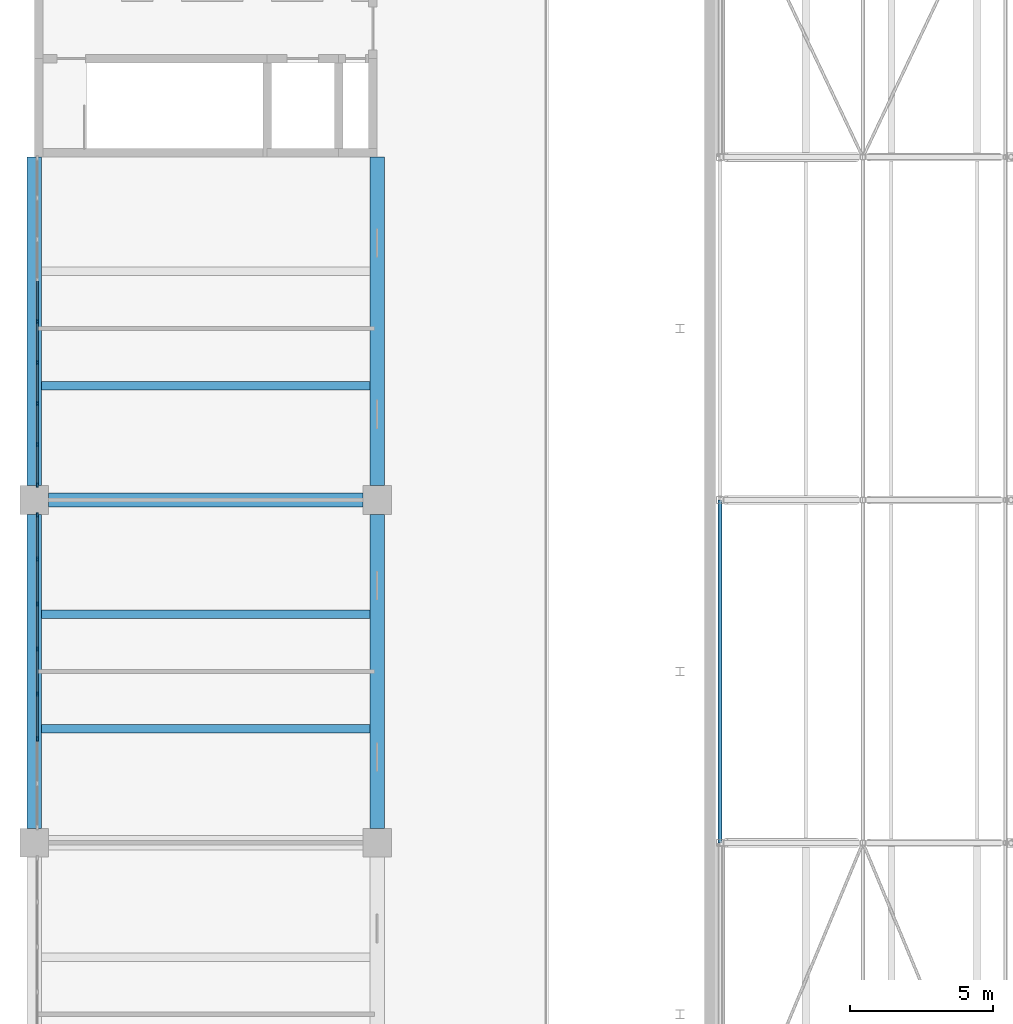
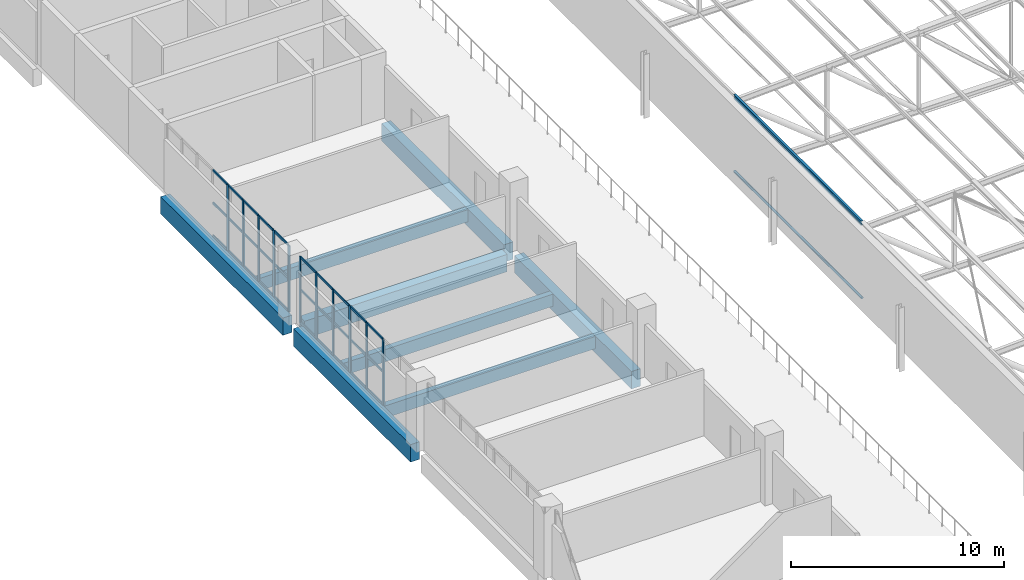
# One storey, part 102 of 156: 43 members, 8 beams, 2 elements without a shape of their own.
"""IFC4 building model written with IfcOpenShell, lengths in metres."""

from ifc_helpers import new_model, si_unit, direction, frame, origin, origin_2d, place, context, subcontext, project, spatial, rectangle, hollow_circle, i_section, extrude, material, layer, layer_set, material_profile, profile_set, type_object, element, aggregate, save


model = new_model("IFC4")

# Units and contexts
model_context = context("Model", 3, precision=1e-05, world=origin(), true_north=direction((0.0, 1.0)))
body_context = subcontext(model_context, "Body", "Model", "MODEL_VIEW")
ifc_project = project(units=[si_unit("LENGTHUNIT", "METRE"), si_unit("AREAUNIT", "SQUARE_METRE"), si_unit("VOLUMEUNIT", "CUBIC_METRE"), si_unit("PLANEANGLEUNIT", "RADIAN"), si_unit("MASSUNIT", "GRAM", prefix="KILO")], contexts=[model_context])

# Site, building, storey
site_placement = place(None, origin())
site = spatial("IfcSite", under=ifc_project, at=site_placement, CompositionType="ELEMENT")
building_placement = place(site_placement, origin())
building = spatial("IfcBuilding", under=site, at=building_placement, Name="Lilac Gate Convention Centre", CompositionType="ELEMENT")
storey_placement = place(building_placement, frame((0.0, 0.0, 17.0)))
storey = spatial("IfcBuildingStorey", under=building, at=storey_placement, Name="L03", CompositionType="ELEMENT", Elevation=17.0)

# Member
ifc_material_1 = material(Name="Steel Q355B", Category="steel")
ifc_material_profile_1 = material_profile(ifc_material_1, hollow_circle(Radius=0.06982421875, WallThickness=0.0048828125, at=origin_2d()), Name="CHS139.7x5")
ifc_profile_set_1 = profile_set([ifc_material_profile_1], Name="Steel Q355B")
member_type_1 = type_object("IfcMemberType", Name="Bottom chord tie CHS139.7x5", PredefinedType="STRUT", material=ifc_profile_set_1)
member_1_placement = place(storey_placement, frame((30.0, 186.00341796875, 0.0), z_axis=(0.0, 1.0, 0.0), x_axis=(-1.0, 0.0, 0.0)))
element("IfcMember", 1, at=member_1_placement, inside=storey, type_object=member_type_1, Name="ST1 tie bay 14 node 1", PredefinedType="STRUT", context=body_context, shape_type="SweptSolid", body=[
    extrude(hollow_circle(Radius=0.06982421875, WallThickness=0.0048828125, at=origin_2d()), origin(), (0.0, 0.0, 1.0), 11.9931640625),
])

# Curtain wall, members
ifc_material_2 = material(Name="Aluminium framed double glazing", Category="aluminium")
ifc_layer = layer(ifc_material_2, 0.199951171875)
ifc_layer_set = layer_set([ifc_layer], Name="Aluminium framed double glazing")
curtain_wall_type = type_object("IfcCurtainWallType", Name="Unitised curtain wall 1500", PredefinedType="NOTDEFINED", material=ifc_layer_set)
curtain_wall_1_placement = place(storey_placement, origin())
curtain_wall_1 = element("IfcCurtainWall", 2, at=curtain_wall_1_placement, inside=storey, type_object=curtain_wall_type, Name="Curtain wall PW L03 1", PredefinedType="NOTDEFINED")
ifc_material_3 = material(Name="Aluminium alloy 6063", Category="aluminium")
ifc_material_profile_2 = material_profile(ifc_material_3, rectangle(XDim=0.06005859375, YDim=0.159912109375, at=origin_2d()), Name="Curtain wall mullion 60 x 160")
ifc_profile_set_2 = profile_set([ifc_material_profile_2], Name="Aluminium alloy 6063")
member_type_2 = type_object("IfcMemberType", Name="Curtain wall mullion 60 x 160", PredefinedType="MULLION", material=ifc_profile_set_2)
member_2_placement = place(storey_placement, frame((6.10009765625, 204.25, 0.0), z_axis=(0.0, 0.0, 1.0), x_axis=(1.0, 0.0, 0.0)))
member_2 = element("IfcMember", 3, at=member_2_placement, type_object=member_type_2, Name="CW mullion 5", PredefinedType="MULLION", context=body_context, shape_type="SweptSolid", body=[
    extrude(rectangle(XDim=0.06005859375, YDim=0.159912109375, at=origin_2d()), origin(), (0.0, 0.0, 1.0), 3.800048828125),
])
member_3_placement = place(storey_placement, frame((6.10009765625, 202.8125, 0.0), z_axis=(0.0, 0.0, 1.0), x_axis=(1.0, 0.0, 0.0)))
member_3 = element("IfcMember", 4, at=member_3_placement, type_object=member_type_2, Name="CW mullion 6", PredefinedType="MULLION", context=body_context, shape_type="SweptSolid", body=[
    extrude(rectangle(XDim=0.06005859375, YDim=0.159912109375, at=origin_2d()), origin(), (0.0, 0.0, 1.0), 3.800048828125),
])
member_4_placement = place(storey_placement, frame((6.10009765625, 201.375, 0.0), z_axis=(0.0, 0.0, 1.0), x_axis=(1.0, 0.0, 0.0)))
member_4 = element("IfcMember", 5, at=member_4_placement, type_object=member_type_2, Name="CW mullion 7", PredefinedType="MULLION", context=body_context, shape_type="SweptSolid", body=[
    extrude(rectangle(XDim=0.06005859375, YDim=0.159912109375, at=origin_2d()), origin(), (0.0, 0.0, 1.0), 3.800048828125),
])
member_5_placement = place(storey_placement, frame((6.10009765625, 199.9375, 0.0), z_axis=(0.0, 0.0, 1.0), x_axis=(1.0, 0.0, 0.0)))
member_5 = element("IfcMember", 6, at=member_5_placement, type_object=member_type_2, Name="CW mullion 8", PredefinedType="MULLION", context=body_context, shape_type="SweptSolid", body=[
    extrude(rectangle(XDim=0.06005859375, YDim=0.159912109375, at=origin_2d()), origin(), (0.0, 0.0, 1.0), 3.800048828125),
])
member_6_placement = place(storey_placement, frame((6.10009765625, 198.530029296875, 0.0), z_axis=(0.0, 0.0, 1.0), x_axis=(1.0, 0.0, 0.0)))
member_6 = element("IfcMember", 7, at=member_6_placement, type_object=member_type_2, Name="CW mullion 9", PredefinedType="MULLION", context=body_context, shape_type="SweptSolid", body=[
    extrude(rectangle(XDim=0.06005859375, YDim=0.159912109375, at=origin_2d()), origin(), (0.0, 0.0, 1.0), 3.800048828125),
])

curtain_wall_2_placement = place(storey_placement, origin())
curtain_wall_2 = element("IfcCurtainWall", 8, at=curtain_wall_2_placement, inside=storey, type_object=curtain_wall_type, Name="Curtain wall PW L03 2", PredefinedType="NOTDEFINED")
member_7_placement = place(storey_placement, frame((6.10009765625, 197.469970703125, 0.0), z_axis=(0.0, 0.0, 1.0), x_axis=(1.0, 0.0, 0.0)))
member_7 = element("IfcMember", 9, at=member_7_placement, type_object=member_type_2, Name="CW mullion 1", PredefinedType="MULLION", context=body_context, shape_type="SweptSolid", body=[
    extrude(rectangle(XDim=0.06005859375, YDim=0.159912109375, at=origin_2d()), origin(), (0.0, 0.0, 1.0), 3.800048828125),
])
member_8_placement = place(storey_placement, frame((6.10009765625, 195.928466796875, 0.0), z_axis=(0.0, 0.0, 1.0), x_axis=(1.0, 0.0, 0.0)))
member_8 = element("IfcMember", 10, at=member_8_placement, type_object=member_type_2, Name="CW mullion 2", PredefinedType="MULLION", context=body_context, shape_type="SweptSolid", body=[
    extrude(rectangle(XDim=0.06005859375, YDim=0.159912109375, at=origin_2d()), origin(), (0.0, 0.0, 1.0), 3.800048828125),
])
member_9_placement = place(storey_placement, frame((6.10009765625, 194.357177734375, 0.0), z_axis=(0.0, 0.0, 1.0), x_axis=(1.0, 0.0, 0.0)))
member_9 = element("IfcMember", 11, at=member_9_placement, type_object=member_type_2, Name="CW mullion 3", PredefinedType="MULLION", context=body_context, shape_type="SweptSolid", body=[
    extrude(rectangle(XDim=0.06005859375, YDim=0.159912109375, at=origin_2d()), origin(), (0.0, 0.0, 1.0), 3.800048828125),
])
member_10_placement = place(storey_placement, frame((6.10009765625, 192.78564453125, 0.0), z_axis=(0.0, 0.0, 1.0), x_axis=(1.0, 0.0, 0.0)))
member_10 = element("IfcMember", 12, at=member_10_placement, type_object=member_type_2, Name="CW mullion 4", PredefinedType="MULLION", context=body_context, shape_type="SweptSolid", body=[
    extrude(rectangle(XDim=0.06005859375, YDim=0.159912109375, at=origin_2d()), origin(), (0.0, 0.0, 1.0), 3.800048828125),
])
member_11_placement = place(storey_placement, frame((6.10009765625, 191.21435546875, 0.0), z_axis=(0.0, 0.0, 1.0), x_axis=(1.0, 0.0, 0.0)))
member_11 = element("IfcMember", 13, at=member_11_placement, type_object=member_type_2, Name="CW mullion 5", PredefinedType="MULLION", context=body_context, shape_type="SweptSolid", body=[
    extrude(rectangle(XDim=0.06005859375, YDim=0.159912109375, at=origin_2d()), origin(), (0.0, 0.0, 1.0), 3.800048828125),
])
member_12_placement = place(storey_placement, frame((6.10009765625, 189.642822265625, 0.0), z_axis=(0.0, 0.0, 1.0), x_axis=(1.0, 0.0, 0.0)))
member_12 = element("IfcMember", 14, at=member_12_placement, type_object=member_type_2, Name="CW mullion 6", PredefinedType="MULLION", context=body_context, shape_type="SweptSolid", body=[
    extrude(rectangle(XDim=0.06005859375, YDim=0.159912109375, at=origin_2d()), origin(), (0.0, 0.0, 1.0), 3.800048828125),
])

# Member
ifc_material_profile_3 = material_profile(ifc_material_3, rectangle(XDim=0.06005859375, YDim=0.1201171875, at=origin_2d()), Name="Curtain wall transom 60 x 120")
ifc_profile_set_3 = profile_set([ifc_material_profile_3], Name="Aluminium alloy 6063")
member_type_3 = type_object("IfcMemberType", Name="Curtain wall transom 60 x 120", PredefinedType="USERDEFINED", material=ifc_profile_set_3)
member_13_placement = place(storey_placement, frame((6.10009765625, 205.657470703125, 0.030029296875), z_axis=(0.0, -1.0, 0.0), x_axis=(1.0, 0.0, 0.0)))
member_13 = element("IfcMember", 15, at=member_13_placement, type_object=member_type_3, Name="CW transom 4.1", ObjectType="TRANSOM", PredefinedType="USERDEFINED", context=body_context, shape_type="SweptSolid", body=[
    extrude(rectangle(XDim=0.06005859375, YDim=0.1201171875, at=origin_2d()), origin(), (0.0, 0.0, 1.0), 1.37744140625),
])

member_14_placement = place(storey_placement, frame((6.10009765625, 205.657470703125, 1.89990234375), z_axis=(0.0, -1.0, 0.0), x_axis=(1.0, 0.0, 0.0)))
member_14 = element("IfcMember", 16, at=member_14_placement, type_object=member_type_3, Name="CW transom 4.2", ObjectType="TRANSOM", PredefinedType="USERDEFINED", context=body_context, shape_type="SweptSolid", body=[
    extrude(rectangle(XDim=0.06005859375, YDim=0.1201171875, at=origin_2d()), origin(), (0.0, 0.0, 1.0), 1.37744140625),
])

member_15_placement = place(storey_placement, frame((6.10009765625, 205.657470703125, 3.77001953125), z_axis=(0.0, -1.0, 0.0), x_axis=(1.0, 0.0, 0.0)))
member_15 = element("IfcMember", 17, at=member_15_placement, type_object=member_type_3, Name="CW transom 4.3", ObjectType="TRANSOM", PredefinedType="USERDEFINED", context=body_context, shape_type="SweptSolid", body=[
    extrude(rectangle(XDim=0.06005859375, YDim=0.1201171875, at=origin_2d()), origin(), (0.0, 0.0, 1.0), 1.37744140625),
])

member_16_placement = place(storey_placement, frame((6.10009765625, 204.219970703125, 0.030029296875), z_axis=(0.0, -1.0, 0.0), x_axis=(1.0, 0.0, 0.0)))
member_16 = element("IfcMember", 18, at=member_16_placement, type_object=member_type_3, Name="CW transom 5.1", ObjectType="TRANSOM", PredefinedType="USERDEFINED", context=body_context, shape_type="SweptSolid", body=[
    extrude(rectangle(XDim=0.06005859375, YDim=0.1201171875, at=origin_2d()), origin(), (0.0, 0.0, 1.0), 1.37744140625),
])

member_17_placement = place(storey_placement, frame((6.10009765625, 204.219970703125, 1.89990234375), z_axis=(0.0, -1.0, 0.0), x_axis=(1.0, 0.0, 0.0)))
member_17 = element("IfcMember", 19, at=member_17_placement, type_object=member_type_3, Name="CW transom 5.2", ObjectType="TRANSOM", PredefinedType="USERDEFINED", context=body_context, shape_type="SweptSolid", body=[
    extrude(rectangle(XDim=0.06005859375, YDim=0.1201171875, at=origin_2d()), origin(), (0.0, 0.0, 1.0), 1.37744140625),
])

member_18_placement = place(storey_placement, frame((6.10009765625, 204.219970703125, 3.77001953125), z_axis=(0.0, -1.0, 0.0), x_axis=(1.0, 0.0, 0.0)))
member_18 = element("IfcMember", 20, at=member_18_placement, type_object=member_type_3, Name="CW transom 5.3", ObjectType="TRANSOM", PredefinedType="USERDEFINED", context=body_context, shape_type="SweptSolid", body=[
    extrude(rectangle(XDim=0.06005859375, YDim=0.1201171875, at=origin_2d()), origin(), (0.0, 0.0, 1.0), 1.37744140625),
])

member_19_placement = place(storey_placement, frame((6.10009765625, 202.782470703125, 0.030029296875), z_axis=(0.0, -1.0, 0.0), x_axis=(1.0, 0.0, 0.0)))
member_19 = element("IfcMember", 21, at=member_19_placement, type_object=member_type_3, Name="CW transom 6.1", ObjectType="TRANSOM", PredefinedType="USERDEFINED", context=body_context, shape_type="SweptSolid", body=[
    extrude(rectangle(XDim=0.06005859375, YDim=0.1201171875, at=origin_2d()), origin(), (0.0, 0.0, 1.0), 1.37744140625),
])

member_20_placement = place(storey_placement, frame((6.10009765625, 202.782470703125, 1.89990234375), z_axis=(0.0, -1.0, 0.0), x_axis=(1.0, 0.0, 0.0)))
member_20 = element("IfcMember", 22, at=member_20_placement, type_object=member_type_3, Name="CW transom 6.2", ObjectType="TRANSOM", PredefinedType="USERDEFINED", context=body_context, shape_type="SweptSolid", body=[
    extrude(rectangle(XDim=0.06005859375, YDim=0.1201171875, at=origin_2d()), origin(), (0.0, 0.0, 1.0), 1.37744140625),
])

member_21_placement = place(storey_placement, frame((6.10009765625, 202.782470703125, 3.77001953125), z_axis=(0.0, -1.0, 0.0), x_axis=(1.0, 0.0, 0.0)))
member_21 = element("IfcMember", 23, at=member_21_placement, type_object=member_type_3, Name="CW transom 6.3", ObjectType="TRANSOM", PredefinedType="USERDEFINED", context=body_context, shape_type="SweptSolid", body=[
    extrude(rectangle(XDim=0.06005859375, YDim=0.1201171875, at=origin_2d()), origin(), (0.0, 0.0, 1.0), 1.37744140625),
])

member_22_placement = place(storey_placement, frame((6.10009765625, 201.344970703125, 0.030029296875), z_axis=(0.0, -1.0, 0.0), x_axis=(1.0, 0.0, 0.0)))
member_22 = element("IfcMember", 24, at=member_22_placement, type_object=member_type_3, Name="CW transom 7.1", ObjectType="TRANSOM", PredefinedType="USERDEFINED", context=body_context, shape_type="SweptSolid", body=[
    extrude(rectangle(XDim=0.06005859375, YDim=0.1201171875, at=origin_2d()), origin(), (0.0, 0.0, 1.0), 1.37744140625),
])

member_23_placement = place(storey_placement, frame((6.10009765625, 201.344970703125, 1.89990234375), z_axis=(0.0, -1.0, 0.0), x_axis=(1.0, 0.0, 0.0)))
member_23 = element("IfcMember", 25, at=member_23_placement, type_object=member_type_3, Name="CW transom 7.2", ObjectType="TRANSOM", PredefinedType="USERDEFINED", context=body_context, shape_type="SweptSolid", body=[
    extrude(rectangle(XDim=0.06005859375, YDim=0.1201171875, at=origin_2d()), origin(), (0.0, 0.0, 1.0), 1.37744140625),
])

member_24_placement = place(storey_placement, frame((6.10009765625, 201.344970703125, 3.77001953125), z_axis=(0.0, -1.0, 0.0), x_axis=(1.0, 0.0, 0.0)))
member_24 = element("IfcMember", 26, at=member_24_placement, type_object=member_type_3, Name="CW transom 7.3", ObjectType="TRANSOM", PredefinedType="USERDEFINED", context=body_context, shape_type="SweptSolid", body=[
    extrude(rectangle(XDim=0.06005859375, YDim=0.1201171875, at=origin_2d()), origin(), (0.0, 0.0, 1.0), 1.37744140625),
])

member_25_placement = place(storey_placement, frame((6.10009765625, 199.907470703125, 0.030029296875), z_axis=(0.0, -1.0, 0.0), x_axis=(1.0, 0.0, 0.0)))
member_25 = element("IfcMember", 27, at=member_25_placement, type_object=member_type_3, Name="CW transom 8.1", ObjectType="TRANSOM", PredefinedType="USERDEFINED", context=body_context, shape_type="SweptSolid", body=[
    extrude(rectangle(XDim=0.06005859375, YDim=0.1201171875, at=origin_2d()), origin(), (0.0, 0.0, 1.0), 1.347412109375),
])

member_26_placement = place(storey_placement, frame((6.10009765625, 199.907470703125, 1.89990234375), z_axis=(0.0, -1.0, 0.0), x_axis=(1.0, 0.0, 0.0)))
member_26 = element("IfcMember", 28, at=member_26_placement, type_object=member_type_3, Name="CW transom 8.2", ObjectType="TRANSOM", PredefinedType="USERDEFINED", context=body_context, shape_type="SweptSolid", body=[
    extrude(rectangle(XDim=0.06005859375, YDim=0.1201171875, at=origin_2d()), origin(), (0.0, 0.0, 1.0), 1.347412109375),
])

member_27_placement = place(storey_placement, frame((6.10009765625, 199.907470703125, 3.77001953125), z_axis=(0.0, -1.0, 0.0), x_axis=(1.0, 0.0, 0.0)))
member_27 = element("IfcMember", 29, at=member_27_placement, type_object=member_type_3, Name="CW transom 8.3", ObjectType="TRANSOM", PredefinedType="USERDEFINED", context=body_context, shape_type="SweptSolid", body=[
    extrude(rectangle(XDim=0.06005859375, YDim=0.1201171875, at=origin_2d()), origin(), (0.0, 0.0, 1.0), 1.347412109375),
])

aggregate(curtain_wall_1, [member_2, member_3, member_4, member_5, member_6, member_13, member_14, member_15, member_16, member_17, member_18, member_19, member_20, member_21, member_22, member_23, member_24, member_25, member_26, member_27])

member_28_placement = place(storey_placement, frame((6.10009765625, 197.43994140625, 0.030029296875), z_axis=(0.0, -1.0, 0.0), x_axis=(1.0, 0.0, 0.0)))
member_28 = element("IfcMember", 30, at=member_28_placement, type_object=member_type_3, Name="CW transom 1.1", ObjectType="TRANSOM", PredefinedType="USERDEFINED", context=body_context, shape_type="SweptSolid", body=[
    extrude(rectangle(XDim=0.06005859375, YDim=0.1201171875, at=origin_2d()), origin(), (0.0, 0.0, 1.0), 1.4814453125),
])

member_29_placement = place(storey_placement, frame((6.10009765625, 197.43994140625, 1.89990234375), z_axis=(0.0, -1.0, 0.0), x_axis=(1.0, 0.0, 0.0)))
member_29 = element("IfcMember", 31, at=member_29_placement, type_object=member_type_3, Name="CW transom 1.2", ObjectType="TRANSOM", PredefinedType="USERDEFINED", context=body_context, shape_type="SweptSolid", body=[
    extrude(rectangle(XDim=0.06005859375, YDim=0.1201171875, at=origin_2d()), origin(), (0.0, 0.0, 1.0), 1.4814453125),
])

member_30_placement = place(storey_placement, frame((6.10009765625, 197.43994140625, 3.77001953125), z_axis=(0.0, -1.0, 0.0), x_axis=(1.0, 0.0, 0.0)))
member_30 = element("IfcMember", 32, at=member_30_placement, type_object=member_type_3, Name="CW transom 1.3", ObjectType="TRANSOM", PredefinedType="USERDEFINED", context=body_context, shape_type="SweptSolid", body=[
    extrude(rectangle(XDim=0.06005859375, YDim=0.1201171875, at=origin_2d()), origin(), (0.0, 0.0, 1.0), 1.4814453125),
])

member_31_placement = place(storey_placement, frame((6.10009765625, 195.898681640625, 0.030029296875), z_axis=(0.0, -1.0, 0.0), x_axis=(1.0, 0.0, 0.0)))
member_31 = element("IfcMember", 33, at=member_31_placement, type_object=member_type_3, Name="CW transom 2.1", ObjectType="TRANSOM", PredefinedType="USERDEFINED", context=body_context, shape_type="SweptSolid", body=[
    extrude(rectangle(XDim=0.06005859375, YDim=0.1201171875, at=origin_2d()), origin(), (0.0, 0.0, 1.0), 1.511474609375),
])

member_32_placement = place(storey_placement, frame((6.10009765625, 195.898681640625, 1.89990234375), z_axis=(0.0, -1.0, 0.0), x_axis=(1.0, 0.0, 0.0)))
member_32 = element("IfcMember", 34, at=member_32_placement, type_object=member_type_3, Name="CW transom 2.2", ObjectType="TRANSOM", PredefinedType="USERDEFINED", context=body_context, shape_type="SweptSolid", body=[
    extrude(rectangle(XDim=0.06005859375, YDim=0.1201171875, at=origin_2d()), origin(), (0.0, 0.0, 1.0), 1.511474609375),
])

member_33_placement = place(storey_placement, frame((6.10009765625, 195.898681640625, 3.77001953125), z_axis=(0.0, -1.0, 0.0), x_axis=(1.0, 0.0, 0.0)))
member_33 = element("IfcMember", 35, at=member_33_placement, type_object=member_type_3, Name="CW transom 2.3", ObjectType="TRANSOM", PredefinedType="USERDEFINED", context=body_context, shape_type="SweptSolid", body=[
    extrude(rectangle(XDim=0.06005859375, YDim=0.1201171875, at=origin_2d()), origin(), (0.0, 0.0, 1.0), 1.511474609375),
])

member_34_placement = place(storey_placement, frame((6.10009765625, 194.3271484375, 0.030029296875), z_axis=(0.0, -1.0, 0.0), x_axis=(1.0, 0.0, 0.0)))
member_34 = element("IfcMember", 36, at=member_34_placement, type_object=member_type_3, Name="CW transom 3.1", ObjectType="TRANSOM", PredefinedType="USERDEFINED", context=body_context, shape_type="SweptSolid", body=[
    extrude(rectangle(XDim=0.06005859375, YDim=0.1201171875, at=origin_2d()), origin(), (0.0, 0.0, 1.0), 1.511474609375),
])

member_35_placement = place(storey_placement, frame((6.10009765625, 194.3271484375, 1.89990234375), z_axis=(0.0, -1.0, 0.0), x_axis=(1.0, 0.0, 0.0)))
member_35 = element("IfcMember", 37, at=member_35_placement, type_object=member_type_3, Name="CW transom 3.2", ObjectType="TRANSOM", PredefinedType="USERDEFINED", context=body_context, shape_type="SweptSolid", body=[
    extrude(rectangle(XDim=0.06005859375, YDim=0.1201171875, at=origin_2d()), origin(), (0.0, 0.0, 1.0), 1.511474609375),
])

member_36_placement = place(storey_placement, frame((6.10009765625, 194.3271484375, 3.77001953125), z_axis=(0.0, -1.0, 0.0), x_axis=(1.0, 0.0, 0.0)))
member_36 = element("IfcMember", 38, at=member_36_placement, type_object=member_type_3, Name="CW transom 3.3", ObjectType="TRANSOM", PredefinedType="USERDEFINED", context=body_context, shape_type="SweptSolid", body=[
    extrude(rectangle(XDim=0.06005859375, YDim=0.1201171875, at=origin_2d()), origin(), (0.0, 0.0, 1.0), 1.511474609375),
])

member_37_placement = place(storey_placement, frame((6.10009765625, 192.755615234375, 0.030029296875), z_axis=(0.0, -1.0, 0.0), x_axis=(1.0, 0.0, 0.0)))
member_37 = element("IfcMember", 39, at=member_37_placement, type_object=member_type_3, Name="CW transom 4.1", ObjectType="TRANSOM", PredefinedType="USERDEFINED", context=body_context, shape_type="SweptSolid", body=[
    extrude(rectangle(XDim=0.06005859375, YDim=0.1201171875, at=origin_2d()), origin(), (0.0, 0.0, 1.0), 1.51123046875),
])

member_38_placement = place(storey_placement, frame((6.10009765625, 192.755615234375, 1.89990234375), z_axis=(0.0, -1.0, 0.0), x_axis=(1.0, 0.0, 0.0)))
member_38 = element("IfcMember", 40, at=member_38_placement, type_object=member_type_3, Name="CW transom 4.2", ObjectType="TRANSOM", PredefinedType="USERDEFINED", context=body_context, shape_type="SweptSolid", body=[
    extrude(rectangle(XDim=0.06005859375, YDim=0.1201171875, at=origin_2d()), origin(), (0.0, 0.0, 1.0), 1.51123046875),
])

member_39_placement = place(storey_placement, frame((6.10009765625, 192.755615234375, 3.77001953125), z_axis=(0.0, -1.0, 0.0), x_axis=(1.0, 0.0, 0.0)))
member_39 = element("IfcMember", 41, at=member_39_placement, type_object=member_type_3, Name="CW transom 4.3", ObjectType="TRANSOM", PredefinedType="USERDEFINED", context=body_context, shape_type="SweptSolid", body=[
    extrude(rectangle(XDim=0.06005859375, YDim=0.1201171875, at=origin_2d()), origin(), (0.0, 0.0, 1.0), 1.51123046875),
])

member_40_placement = place(storey_placement, frame((6.10009765625, 191.184326171875, 0.030029296875), z_axis=(0.0, -1.0, 0.0), x_axis=(1.0, 0.0, 0.0)))
member_40 = element("IfcMember", 42, at=member_40_placement, type_object=member_type_3, Name="CW transom 5.1", ObjectType="TRANSOM", PredefinedType="USERDEFINED", context=body_context, shape_type="SweptSolid", body=[
    extrude(rectangle(XDim=0.06005859375, YDim=0.1201171875, at=origin_2d()), origin(), (0.0, 0.0, 1.0), 1.511474609375),
])

member_41_placement = place(storey_placement, frame((6.10009765625, 191.184326171875, 1.89990234375), z_axis=(0.0, -1.0, 0.0), x_axis=(1.0, 0.0, 0.0)))
member_41 = element("IfcMember", 43, at=member_41_placement, type_object=member_type_3, Name="CW transom 5.2", ObjectType="TRANSOM", PredefinedType="USERDEFINED", context=body_context, shape_type="SweptSolid", body=[
    extrude(rectangle(XDim=0.06005859375, YDim=0.1201171875, at=origin_2d()), origin(), (0.0, 0.0, 1.0), 1.511474609375),
])

member_42_placement = place(storey_placement, frame((6.10009765625, 191.184326171875, 3.77001953125), z_axis=(0.0, -1.0, 0.0), x_axis=(1.0, 0.0, 0.0)))
member_42 = element("IfcMember", 44, at=member_42_placement, type_object=member_type_3, Name="CW transom 5.3", ObjectType="TRANSOM", PredefinedType="USERDEFINED", context=body_context, shape_type="SweptSolid", body=[
    extrude(rectangle(XDim=0.06005859375, YDim=0.1201171875, at=origin_2d()), origin(), (0.0, 0.0, 1.0), 1.511474609375),
])

aggregate(curtain_wall_2, [member_7, member_8, member_9, member_10, member_11, member_12, member_28, member_29, member_30, member_31, member_32, member_33, member_34, member_35, member_36, member_37, member_38, member_39, member_40, member_41, member_42])

# Beams
ifc_material_4 = material(Name="Concrete C40", Category="concrete")
ifc_material_profile_4 = material_profile(ifc_material_4, rectangle(XDim=0.5, YDim=1.0, at=origin_2d()), Name="RC 500x1000")
ifc_profile_set_4 = profile_set([ifc_material_profile_4], Name="Concrete C40")
beam_type_1 = type_object("IfcBeamType", Name="Primary beam 500x1000 C40", PredefinedType="BEAM", material=ifc_profile_set_4)
for number, where, z_axis, x_axis, name in (
    (45, (6.5, 198.0, -0.75), (1.0, 0.0, 0.0), (0.0, 1.0, 0.0), "RB1 L03 1/Q-2/Q"),
    (46, (6.0, 186.5, -0.75), (0.0, 1.0, 0.0), (-1.0, 0.0, 0.0), "RB1 L03 1/P-1/Q"),
):
    element("IfcBeam", number, at=place(storey_placement, frame(where, z_axis=z_axis, x_axis=x_axis)), inside=storey, type_object=beam_type_1, Name=name, PredefinedType="BEAM", context=body_context, shape_type="SweptSolid", body=[
        extrude(rectangle(XDim=0.5, YDim=1.0, at=origin_2d()), origin(), (0.0, 0.0, 1.0), 11.0),
    ])
beam_1_placement = place(storey_placement, frame((6.0, 198.5, -0.75), z_axis=(0.0, 1.0, 0.0), x_axis=(-1.0, 0.0, 0.0)))
element("IfcBeam", 47, at=beam_1_placement, inside=storey, type_object=beam_type_1, Name="RB1 L03 1/Q-1/R", PredefinedType="BEAM", context=body_context, shape_type="SweptSolid", body=[
    extrude(rectangle(XDim=0.5, YDim=1.0, at=origin_2d()), origin(), (0.0, 0.0, 1.0), 11.5),
])
beam_2_placement = place(storey_placement, frame((18.0, 186.5, -0.75), z_axis=(0.0, 1.0, 0.0), x_axis=(-1.0, 0.0, 0.0)))
element("IfcBeam", 48, at=beam_2_placement, inside=storey, type_object=beam_type_1, Name="RB1 L03 2/P-2/Q", PredefinedType="BEAM", context=body_context, shape_type="SweptSolid", body=[
    extrude(rectangle(XDim=0.5, YDim=1.0, at=origin_2d()), origin(), (0.0, 0.0, 1.0), 11.0),
])
beam_3_placement = place(storey_placement, frame((18.0, 198.5, -0.75), z_axis=(0.0, 1.0, 0.0), x_axis=(-1.0, 0.0, 0.0)))
element("IfcBeam", 49, at=beam_3_placement, inside=storey, type_object=beam_type_1, Name="RB1 L03 2/Q-2/R", PredefinedType="BEAM", context=body_context, shape_type="SweptSolid", body=[
    extrude(rectangle(XDim=0.5, YDim=1.0, at=origin_2d()), origin(), (0.0, 0.0, 1.0), 11.5),
])

# Member
ifc_material_profile_5 = material_profile(ifc_material_1, i_section(OverallWidth=0.125, OverallDepth=0.25, WebThickness=0.006103515625, FlangeThickness=0.009033203125, FilletRadius=0.008056640625, at=origin_2d()), Name="HN250x125x6x9")
ifc_profile_set_5 = profile_set([ifc_material_profile_5], Name="Steel Q355B")
member_type_4 = type_object("IfcMemberType", Name="Roof purlin HN250x125x6x9", PredefinedType="PURLIN", material=ifc_profile_set_5)
member_43_placement = place(storey_placement, frame((30.0, 186.0, 4.30029296875), z_axis=(0.0, 1.0, 0.0), x_axis=(-1.0, 0.0, 0.0)))
element("IfcMember", 50, at=member_43_placement, inside=storey, type_object=member_type_4, Name="PU2 purlin bay 14 line 1", PredefinedType="PURLIN", context=body_context, shape_type="SweptSolid", body=[
    extrude(i_section(OverallWidth=0.125, OverallDepth=0.25, WebThickness=0.006103515625, FlangeThickness=0.009033203125, FilletRadius=0.008056640625, at=origin_2d()), origin(), (0.0, 0.0, 1.0), 12.0),
])

# Beams
ifc_material_profile_6 = material_profile(ifc_material_4, rectangle(XDim=0.300048828125, YDim=0.699951171875, at=origin_2d()), Name="RC 300x700")
ifc_profile_set_6 = profile_set([ifc_material_profile_6], Name="Concrete C40")
beam_type_2 = type_object("IfcBeamType", Name="Secondary beam 300x700 C40", PredefinedType="BEAM", material=ifc_profile_set_6)
for number, where, z_axis, x_axis, name in (
    (51, (6.25, 190.0, -0.60009765625), (1.0, 0.0, 0.0), (0.0, 1.0, 0.0), "RB2 L03 bay 1/P"),
    (52, (6.25, 194.0, -0.60009765625), (1.0, 0.0, 0.0), (0.0, 1.0, 0.0), "RB2 L03 bay 1/P"),
    (53, (6.25, 202.0, -0.60009765625), (1.0, 0.0, 0.0), (0.0, 1.0, 0.0), "RB2 L03 bay 1/Q"),
):
    element("IfcBeam", number, at=place(storey_placement, frame(where, z_axis=z_axis, x_axis=x_axis)), inside=storey, type_object=beam_type_2, Name=name, PredefinedType="BEAM", context=body_context, shape_type="SweptSolid", body=[
        extrude(rectangle(XDim=0.300048828125, YDim=0.699951171875, at=origin_2d()), origin(), (0.0, 0.0, 1.0), 11.5),
    ])

save(model, "model.ifc")
